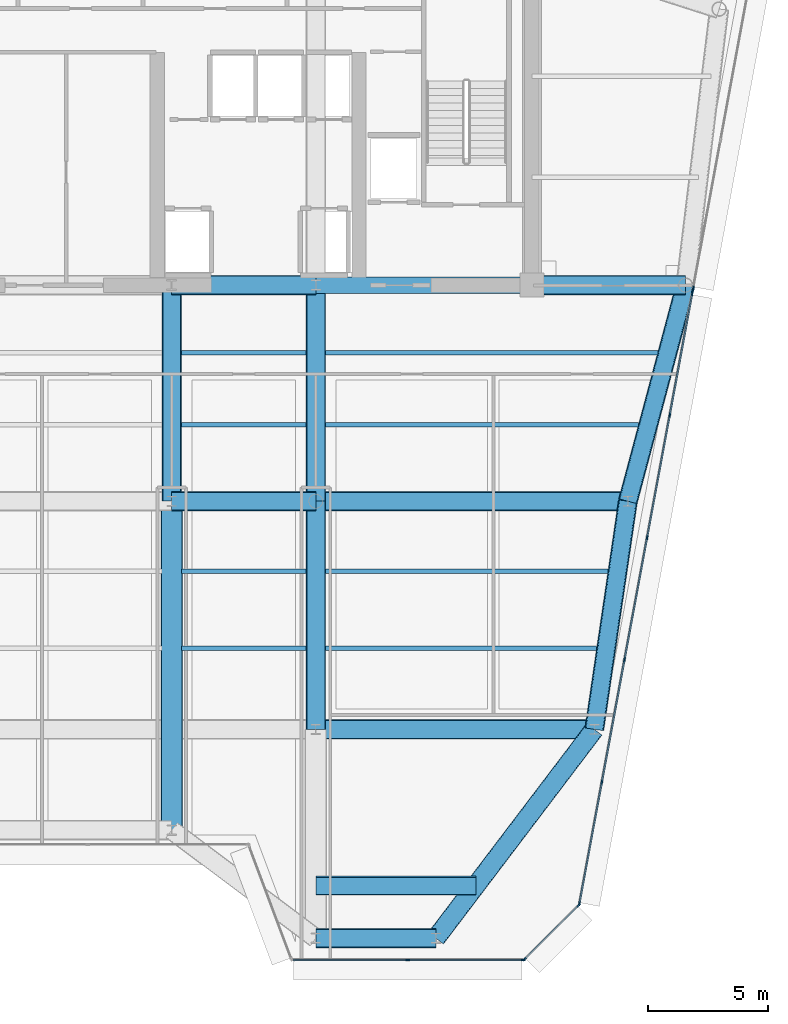
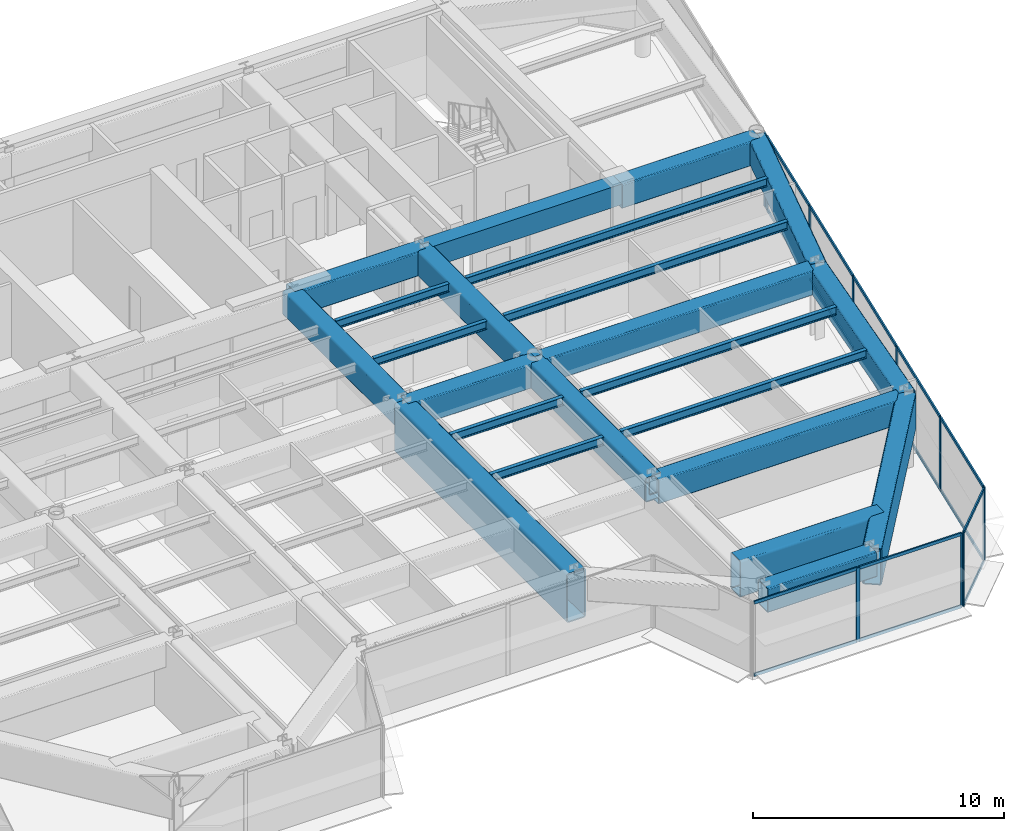
# One storey, part 6 of 17: 27 members, 23 beams, 4 elements without a shape of their own.
"""IFC4 building model written with IfcOpenShell, lengths in metres."""

from ifc_helpers import new_model, si_unit, direction, frame, origin, origin_2d, place, context, subcontext, project, spatial, rectangle, hollow_rectangle, i_section, extrude, source, transform, mapped, material, layer, layer_set, material_profile, profile_set, type_object, element, aggregate, save


model = new_model("IFC4")

# Units and contexts
model_context = context("Model", 3, precision=1e-05, world=origin(), true_north=direction((0.0, 1.0)))
body_context = subcontext(model_context, "Body", "Model", "MODEL_VIEW")
ifc_project = project(units=[si_unit("LENGTHUNIT", "METRE"), si_unit("AREAUNIT", "SQUARE_METRE"), si_unit("VOLUMEUNIT", "CUBIC_METRE"), si_unit("PLANEANGLEUNIT", "RADIAN"), si_unit("MASSUNIT", "GRAM", prefix="KILO")], contexts=[model_context])

# Site, building, storey
site_placement = place(None, origin())
site = spatial("IfcSite", under=ifc_project, at=site_placement, CompositionType="ELEMENT")
building_placement = place(site_placement, origin())
building = spatial("IfcBuilding", under=site, at=building_placement, Name="Vaeldorn Concourse Tower", CompositionType="ELEMENT")
storey_placement = place(building_placement, frame((0.0, 0.0, 234.60009765625)))
storey = spatial("IfcBuildingStorey", under=building, at=storey_placement, Name="L60", CompositionType="ELEMENT", Elevation=234.60009765625)

# Beams
ifc_material_1 = material(Name="Concrete C50/60", Category="concrete")
ifc_material_profile_1 = material_profile(ifc_material_1, rectangle(XDim=0.699951171875, YDim=1.0, at=origin_2d()), Name="RC 700x1000")
ifc_profile_set_1 = profile_set([ifc_material_profile_1], Name="Concrete C50/60")
beam_type_1 = type_object("IfcBeamType", Name="BM-CB-RC700", PredefinedType="BEAM", material=ifc_profile_set_1)
shared_shape_1 = source(origin(), body_context, "Body", "SweptSolid", [
    extrude(rectangle(XDim=0.699951171875, YDim=1.0, at=origin_2d()), origin(), (0.0, 0.0, 1.0), 9.0),
])
beam_1_placement = place(storey_placement, frame((45.0, 36.5, 3.079833984375), z_axis=(1.0, 0.0, 0.0), x_axis=(0.0, 1.0, 0.0)))
element("IfcBeam", 1, at=beam_1_placement, inside=storey, type_object=beam_type_1, Name="Core Coupling Beam L60-2", PredefinedType="BEAM", context=body_context, shape_type="MappedRepresentation", body=[
    mapped(shared_shape_1, transform((0.0, 0.0, 0.0), scale=1.0)),
])
ifc_material_2 = material(Name="Steel S460", Category="steel")
ifc_material_profile_2 = material_profile(ifc_material_2, hollow_rectangle(XDim=0.800048828125, YDim=1.199951171875, WallThickness=0.044921875, InnerFilletRadius=0.044921875, OuterFilletRadius=0.090087890625, at=origin_2d()), Name="RHS 1200x800x45")
ifc_profile_set_2 = profile_set([ifc_material_profile_2], Name="Steel S460")
beam_type_2 = type_object("IfcBeamType", Name="BM-TG-RHS1200", PredefinedType="BEAM", material=ifc_profile_set_2)
shared_shape_2 = source(origin(), body_context, "Body", "SweptSolid", [
    extrude(hollow_rectangle(XDim=0.800048828125, YDim=1.199951171875, WallThickness=0.044921875, InnerFilletRadius=0.044921875, OuterFilletRadius=0.090087890625, at=origin_2d()), origin(), (0.0, 0.0, 1.0), 6.0),
])
for number, where, z_axis, x_axis, name in (
    (2, (39.0, 36.5, 2.97998046875), (1.0, 0.0, 0.0), (0.0, 1.0, 0.0), "Beam BM-L60-C-FC4-C-FC5"),
    (3, (39.0, 27.5, 2.97998046875), (1.0, 0.0, 0.0), (0.0, 1.0, 0.0), "Beam BM-L60-C-TW3-C-TW4"),
):
    element("IfcBeam", number, at=place(storey_placement, frame(where, z_axis=z_axis, x_axis=x_axis)), inside=storey, type_object=beam_type_2, Name=name, PredefinedType="BEAM", context=body_context, shape_type="MappedRepresentation", body=[
        mapped(shared_shape_2, transform((0.0, 0.0, 0.0), scale=1.0)),
    ])
shared_shape_3 = source(origin(), body_context, "Body", "SweptSolid", [
    extrude(hollow_rectangle(XDim=0.800048828125, YDim=1.199951171875, WallThickness=0.044921875, InnerFilletRadius=0.044921875, OuterFilletRadius=0.090087890625, at=origin_2d()), origin(), (0.0, 0.0, 1.0), 9.0),
])
for number, where, z_axis, x_axis, name in (
    (4, (39.0, 27.5, 2.97998046875), (0.0, 1.0, 0.0), (-1.0, 0.0, 0.0), "Beam BM-L60-C-TW3-C-FC4"),
    (5, (45.0, 27.5, 2.97998046875), (0.0, 1.0, 0.0), (-1.0, 0.0, 0.0), "Beam BM-L60-C-TW4-C-FC5"),
):
    element("IfcBeam", number, at=place(storey_placement, frame(where, z_axis=z_axis, x_axis=x_axis)), inside=storey, type_object=beam_type_2, Name=name, PredefinedType="BEAM", context=body_context, shape_type="MappedRepresentation", body=[
        mapped(shared_shape_3, transform((0.0, 0.0, 0.0), scale=1.0)),
    ])
shared_shape_4 = source(origin(), body_context, "Body", "SweptSolid", [
    extrude(hollow_rectangle(XDim=0.800048828125, YDim=1.199951171875, WallThickness=0.044921875, InnerFilletRadius=0.044921875, OuterFilletRadius=0.090087890625, at=origin_2d()), origin(), (0.0, 0.0, 1.0), 13.0),
])
beam_2_placement = place(storey_placement, frame((45.0, 27.5, 2.97998046875), z_axis=(1.0, 0.0, 0.0), x_axis=(0.0, 1.0, 0.0)))
element("IfcBeam", 6, at=beam_2_placement, inside=storey, type_object=beam_type_2, Name="Beam BM-L60-C-TW4-C-FLE1", PredefinedType="BEAM", context=body_context, shape_type="MappedRepresentation", body=[
    mapped(shared_shape_4, transform((0.0, 0.0, 0.0), scale=1.0)),
])
shared_shape_5 = source(origin(), body_context, "Body", "SweptSolid", [
    extrude(hollow_rectangle(XDim=0.800048828125, YDim=1.199951171875, WallThickness=0.044921875, InnerFilletRadius=0.044921875, OuterFilletRadius=0.090087890625, at=origin_2d()), origin(), (0.0, 0.0, 1.0), 11.60009765625),
])
beam_3_placement = place(storey_placement, frame((45.0, 18.0, 2.97998046875), z_axis=(1.0, 0.0, 0.0), x_axis=(0.0, 1.0, 0.0)))
element("IfcBeam", 7, at=beam_3_placement, inside=storey, type_object=beam_type_2, Name="Beam BM-L60-C-TW6-C-FLE2", PredefinedType="BEAM", context=body_context, shape_type="MappedRepresentation", body=[
    mapped(shared_shape_5, transform((0.0, 0.0, 0.0), scale=1.0)),
])
shared_shape_6 = source(origin(), body_context, "Body", "SweptSolid", [
    extrude(hollow_rectangle(XDim=0.800048828125, YDim=1.199951171875, WallThickness=0.044921875, InnerFilletRadius=0.044921875, OuterFilletRadius=0.090087890625, at=origin_2d()), origin(), (0.0, 0.0, 1.0), 5.0),
])
beam_4_placement = place(storey_placement, frame((45.0, 9.300048828125, 2.97998046875), z_axis=(1.0, 0.0, 0.0), x_axis=(0.0, 1.0, 0.0)))
element("IfcBeam", 8, at=beam_4_placement, inside=storey, type_object=beam_type_2, Name="Beam BM-L60-C-SF5-C-SF6", PredefinedType="BEAM", context=body_context, shape_type="MappedRepresentation", body=[
    mapped(shared_shape_6, transform((0.0, 0.0, 0.0), scale=1.0)),
])
shared_shape_7 = source(origin(), body_context, "Body", "SweptSolid", [
    extrude(hollow_rectangle(XDim=0.800048828125, YDim=1.199951171875, WallThickness=0.044921875, InnerFilletRadius=0.044921875, OuterFilletRadius=0.090087890625, at=origin_2d()), origin(), (0.0, 0.0, 1.0), 6.39990234375),
])
beam_5_placement = place(storey_placement, frame((54.0, 36.5, 2.97998046875), z_axis=(1.0, 0.0, 0.0), x_axis=(0.0, 1.0, 0.0)))
element("IfcBeam", 9, at=beam_5_placement, inside=storey, type_object=beam_type_2, Name="Beam BM-L60-C-FC6-C-NE2", PredefinedType="BEAM", context=body_context, shape_type="MappedRepresentation", body=[
    mapped(shared_shape_7, transform((0.0, 0.0, 0.0), scale=1.0)),
])
shared_shape_8 = source(origin(), body_context, "Body", "SweptSolid", [
    extrude(hollow_rectangle(XDim=0.800048828125, YDim=1.199951171875, WallThickness=0.044921875, InnerFilletRadius=0.044921875, OuterFilletRadius=0.090087890625, at=origin_2d()), origin(), (0.0, 0.0, 1.0), 9.314453125),
])
beam_6_placement = place(storey_placement, frame((60.39990234375, 36.5, 2.97998046875), z_axis=(-0.257652862255, -0.966237549763, 0.0), x_axis=(0.966237549763, -0.257652862255, 0.0)))
element("IfcBeam", 10, at=beam_6_placement, inside=storey, type_object=beam_type_2, Name="Beam BM-L60-C-NE2-C-FLE1", PredefinedType="BEAM", context=body_context, shape_type="MappedRepresentation", body=[
    mapped(shared_shape_8, transform((0.0, 0.0, 0.0), scale=1.0)),
])
shared_shape_9 = source(origin(), body_context, "Body", "SweptSolid", [
    extrude(hollow_rectangle(XDim=0.800048828125, YDim=1.199951171875, WallThickness=0.044921875, InnerFilletRadius=0.044921875, OuterFilletRadius=0.090087890625, at=origin_2d()), origin(), (0.0, 0.0, 1.0), 9.6025390625),
])
beam_7_placement = place(storey_placement, frame((58.0, 27.5, 2.97998046875), z_axis=(-0.145783835977, -0.989316467652, 0.0), x_axis=(0.989316467652, -0.145783835977, 0.0)))
element("IfcBeam", 11, at=beam_7_placement, inside=storey, type_object=beam_type_2, Name="Beam BM-L60-C-FLE1-C-FLE2", PredefinedType="BEAM", context=body_context, shape_type="MappedRepresentation", body=[
    mapped(shared_shape_9, transform((0.0, 0.0, 0.0), scale=1.0)),
])
shared_shape_10 = source(origin(), body_context, "Body", "SweptSolid", [
    extrude(hollow_rectangle(XDim=0.800048828125, YDim=1.199951171875, WallThickness=0.044921875, InnerFilletRadius=0.044921875, OuterFilletRadius=0.090087890625, at=origin_2d()), origin(), (0.0, 0.0, 1.0), 9.5),
])
beam_8_placement = place(storey_placement, frame((45.0, 18.0, 2.97998046875), z_axis=(0.0, 1.0, 0.0), x_axis=(-1.0, 0.0, 0.0)))
element("IfcBeam", 12, at=beam_8_placement, inside=storey, type_object=beam_type_2, Name="Beam BM-L60-C-TW6-C-TW4", PredefinedType="BEAM", context=body_context, shape_type="MappedRepresentation", body=[
    mapped(shared_shape_10, transform((0.0, 0.0, 0.0), scale=1.0)),
])
ifc_material_3 = material(Name="Steel S355", Category="steel")
ifc_material_profile_3 = material_profile(ifc_material_3, i_section(OverallWidth=0.179931640625, OverallDepth=0.39990234375, WebThickness=0.008544921875, FlangeThickness=0.013427734375, FilletRadius=0.02099609375, at=origin_2d()), Name="IPE 400")
ifc_profile_set_3 = profile_set([ifc_material_profile_3], Name="Steel S355")
beam_type_3 = type_object("IfcBeamType", Name="BM-JS-IPE400", PredefinedType="JOIST", material=ifc_profile_set_3)
shared_shape_11 = source(origin(), body_context, "Body", "SweptSolid", [
    extrude(i_section(OverallWidth=0.179931640625, OverallDepth=0.39990234375, WebThickness=0.008544921875, FlangeThickness=0.013427734375, FilletRadius=0.02099609375, at=origin_2d()), origin(), (0.0, 0.0, 1.0), 5.2001953125),
])
for number, where, z_axis, x_axis, name in (
    (13, (39.39990234375, 21.3798828125, 3.3798828125), (1.0, 0.0, 0.0), (0.0, 1.0, 0.0), "Beam JS-L60-E2-213"),
    (14, (39.39990234375, 24.580078125, 3.3798828125), (1.0, 0.0, 0.0), (0.0, 1.0, 0.0), "Beam JS-L60-E2-245"),
    (15, (39.39990234375, 30.679931640625, 3.3798828125), (1.0, 0.0, 0.0), (0.0, 1.0, 0.0), "Beam JS-L60-E2-306"),
    (16, (39.39990234375, 33.679931640625, 3.3798828125), (1.0, 0.0, 0.0), (0.0, 1.0, 0.0), "Beam JS-L60-E2-336"),
):
    element("IfcBeam", number, at=place(storey_placement, frame(where, z_axis=z_axis, x_axis=x_axis)), inside=storey, type_object=beam_type_3, Name=name, PredefinedType="JOIST", context=body_context, shape_type="MappedRepresentation", body=[
        mapped(shared_shape_11, transform((0.0, 0.0, 0.0), scale=1.0)),
    ])
ifc_material_profile_4 = material_profile(ifc_material_2, hollow_rectangle(XDim=0.89990234375, YDim=2.39990234375, WallThickness=0.06005859375, InnerFilletRadius=0.06005859375, OuterFilletRadius=0.1201171875, at=origin_2d()), Name="RHS 2400x900x60")
ifc_profile_set_4 = profile_set([ifc_material_profile_4], Name="Steel S460")
beam_type_4 = type_object("IfcBeamType", Name="BM-TG-BOX2400", PredefinedType="BEAM", material=ifc_profile_set_4)
shared_shape_12 = source(origin(), body_context, "Body", "SweptSolid", [
    extrude(hollow_rectangle(XDim=0.89990234375, YDim=2.39990234375, WallThickness=0.06005859375, InnerFilletRadius=0.06005859375, OuterFilletRadius=0.1201171875, at=origin_2d()), origin(), (0.0, 0.0, 1.0), 13.699951171875),
])
beam_9_placement = place(storey_placement, frame((39.0, 13.800048828125, 2.3798828125), z_axis=(0.0, 1.0, 0.0), x_axis=(-1.0, 0.0, 0.0)))
element("IfcBeam", 17, at=beam_9_placement, inside=storey, type_object=beam_type_4, Name="Beam BM-SETBACK-L60-C-SF4", PredefinedType="BEAM", context=body_context, shape_type="MappedRepresentation", body=[
    mapped(shared_shape_12, transform((0.0, 0.0, 0.0), scale=1.0)),
])
ifc_material_profile_5 = material_profile(ifc_material_2, hollow_rectangle(XDim=0.800048828125, YDim=1.800048828125, WallThickness=0.050048828125, InnerFilletRadius=0.050048828125, OuterFilletRadius=0.10009765625, at=origin_2d()), Name="RHS 1800x800x50")
ifc_profile_set_5 = profile_set([ifc_material_profile_5], Name="Steel S460")
beam_type_5 = type_object("IfcBeamType", Name="BM-TG-BOX1800", PredefinedType="BEAM", material=ifc_profile_set_5)
shared_shape_13 = source(origin(), body_context, "Body", "SweptSolid", [
    extrude(hollow_rectangle(XDim=0.800048828125, YDim=1.800048828125, WallThickness=0.050048828125, InnerFilletRadius=0.050048828125, OuterFilletRadius=0.10009765625, at=origin_2d()), origin(), (0.0, 0.0, 1.0), 10.920166015625),
])
beam_10_placement = place(storey_placement, frame((50.0, 9.300048828125, 2.679931640625), z_axis=(0.604394310451, 0.796685331542, 0.0), x_axis=(-0.796685331542, 0.604394310451, 0.0)))
element("IfcBeam", 18, at=beam_10_placement, inside=storey, type_object=beam_type_5, Name="Beam BM-SETBACK-FL-L60-C-SF6", PredefinedType="BEAM", context=body_context, shape_type="MappedRepresentation", body=[
    mapped(shared_shape_13, transform((0.0, 0.0, 0.0), scale=1.0)),
])
shared_shape_14 = source(origin(), body_context, "Body", "SweptSolid", [
    extrude(hollow_rectangle(XDim=0.800048828125, YDim=1.800048828125, WallThickness=0.050048828125, InnerFilletRadius=0.050048828125, OuterFilletRadius=0.10009765625, at=origin_2d()), origin(), (0.0, 0.0, 1.0), 6.6689453125),
])
beam_11_placement = place(storey_placement, frame((51.6689453125, 11.5, 2.679931640625), z_axis=(-1.0, 0.0, 0.0), x_axis=(0.0, -1.0, 0.0)))
element("IfcBeam", 19, at=beam_11_placement, inside=storey, type_object=beam_type_5, Name="Beam BM-SETBACK-EW-L60-C-SF6", PredefinedType="BEAM", context=body_context, shape_type="MappedRepresentation", body=[
    mapped(shared_shape_14, transform((0.0, 0.0, 0.0), scale=1.0)),
])
shared_shape_15 = source(origin(), body_context, "Body", "SweptSolid", [
    extrude(i_section(OverallWidth=0.179931640625, OverallDepth=0.39990234375, WebThickness=0.008544921875, FlangeThickness=0.013427734375, FilletRadius=0.02099609375, at=origin_2d()), origin(), (0.0, 0.0, 1.0), 11.298095703125),
])
beam_12_placement = place(storey_placement, frame((45.39990234375, 21.3798828125, 3.3798828125), z_axis=(1.0, 0.0, 0.0), x_axis=(0.0, 1.0, 0.0)))
element("IfcBeam", 20, at=beam_12_placement, inside=storey, type_object=beam_type_3, Name="Beam JS-L60-E1-213", PredefinedType="JOIST", context=body_context, shape_type="MappedRepresentation", body=[
    mapped(shared_shape_15, transform((0.0, 0.0, 0.0), scale=1.0)),
])
shared_shape_16 = source(origin(), body_context, "Body", "SweptSolid", [
    extrude(i_section(OverallWidth=0.179931640625, OverallDepth=0.39990234375, WebThickness=0.008544921875, FlangeThickness=0.013427734375, FilletRadius=0.02099609375, at=origin_2d()), origin(), (0.0, 0.0, 1.0), 11.769775390625),
])
beam_13_placement = place(storey_placement, frame((45.39990234375, 24.580078125, 3.3798828125), z_axis=(1.0, 0.0, 0.0), x_axis=(0.0, 1.0, 0.0)))
element("IfcBeam", 21, at=beam_13_placement, inside=storey, type_object=beam_type_3, Name="Beam JS-L60-E1-245", PredefinedType="JOIST", context=body_context, shape_type="MappedRepresentation", body=[
    mapped(shared_shape_16, transform((0.0, 0.0, 0.0), scale=1.0)),
])
shared_shape_17 = source(origin(), body_context, "Body", "SweptSolid", [
    extrude(i_section(OverallWidth=0.179931640625, OverallDepth=0.39990234375, WebThickness=0.008544921875, FlangeThickness=0.013427734375, FilletRadius=0.02099609375, at=origin_2d()), origin(), (0.0, 0.0, 1.0), 13.048095703125),
])
beam_14_placement = place(storey_placement, frame((45.39990234375, 30.679931640625, 3.3798828125), z_axis=(1.0, 0.0, 0.0), x_axis=(0.0, 1.0, 0.0)))
element("IfcBeam", 22, at=beam_14_placement, inside=storey, type_object=beam_type_3, Name="Beam JS-L60-E1-306", PredefinedType="JOIST", context=body_context, shape_type="MappedRepresentation", body=[
    mapped(shared_shape_17, transform((0.0, 0.0, 0.0), scale=1.0)),
])
shared_shape_18 = source(origin(), body_context, "Body", "SweptSolid", [
    extrude(i_section(OverallWidth=0.179931640625, OverallDepth=0.39990234375, WebThickness=0.008544921875, FlangeThickness=0.013427734375, FilletRadius=0.02099609375, at=origin_2d()), origin(), (0.0, 0.0, 1.0), 13.84814453125),
])
beam_15_placement = place(storey_placement, frame((45.39990234375, 33.679931640625, 3.3798828125), z_axis=(1.0, 0.0, 0.0), x_axis=(0.0, 1.0, 0.0)))
element("IfcBeam", 23, at=beam_15_placement, inside=storey, type_object=beam_type_3, Name="Beam JS-L60-E1-336", PredefinedType="JOIST", context=body_context, shape_type="MappedRepresentation", body=[
    mapped(shared_shape_18, transform((0.0, 0.0, 0.0), scale=1.0)),
])

# Curtain wall, members
ifc_material_4 = material(Name="Anodised Bronze Aluminium", Category="aluminium")
ifc_layer = layer(ifc_material_4, 0.179931640625)
ifc_layer_set = layer_set([ifc_layer], Name="Anodised Bronze Aluminium")
curtain_wall_type = type_object("IfcCurtainWallType", Name="CW-SYS-05", PredefinedType="NOTDEFINED", material=ifc_layer_set)
curtain_wall_1_placement = place(storey_placement, origin())
curtain_wall_1 = element("IfcCurtainWall", 24, at=curtain_wall_1_placement, inside=storey, type_object=curtain_wall_type, Name="Unitised Curtain Wall CW-L60-E05-1", PredefinedType="NOTDEFINED")
ifc_material_profile_6 = material_profile(ifc_material_4, rectangle(XDim=0.06494140625, YDim=0.169921875, at=origin_2d()), Name="CWM 65x170")
ifc_profile_set_6 = profile_set([ifc_material_profile_6], Name="Anodised Bronze Aluminium")
member_type_1 = type_object("IfcMemberType", Name="CWM-BRONZE-170", PredefinedType="MULLION", material=ifc_profile_set_6)
shared_shape_19 = source(origin(), body_context, "Body", "SweptSolid", [
    extrude(rectangle(XDim=0.06494140625, YDim=0.169921875, at=origin_2d()), origin(), (0.0, 0.0, 1.0), 3.579833984375),
])
member_1_placement = place(storey_placement, frame((48.83544921875, 8.39990234375, 0.0), z_axis=(0.0, 0.0, 1.0), x_axis=(0.0, 1.0, 0.0)))
member_1 = element("IfcMember", 25, at=member_1_placement, type_object=member_type_1, Name="CW-05 mullion 2", PredefinedType="MULLION", context=body_context, shape_type="MappedRepresentation", body=[
    mapped(shared_shape_19, transform((0.0, 0.0, 0.0), scale=1.0)),
])
member_2_placement = place(storey_placement, frame((53.638427734375, 8.39990234375, 0.0), z_axis=(0.0, 0.0, 1.0), x_axis=(0.0, 1.0, 0.0)))
member_2 = element("IfcMember", 26, at=member_2_placement, type_object=member_type_1, Name="CW-05 mullion 3", PredefinedType="MULLION", context=body_context, shape_type="MappedRepresentation", body=[
    mapped(shared_shape_19, transform((0.0, 0.0, 0.0), scale=1.0)),
])

curtain_wall_2_placement = place(storey_placement, origin())
curtain_wall_2 = element("IfcCurtainWall", 27, at=curtain_wall_2_placement, inside=storey, type_object=curtain_wall_type, Name="Unitised Curtain Wall CW-L60-E06-1", PredefinedType="NOTDEFINED")
member_3_placement = place(storey_placement, frame((53.694091796875, 8.423095703125, 0.0), z_axis=(0.0, 0.0, 1.0), x_axis=(-0.707106781187, 0.707106781187, 0.0)))
member_3 = element("IfcMember", 28, at=member_3_placement, type_object=member_type_1, Name="CW-05 mullion 1", PredefinedType="MULLION", context=body_context, shape_type="MappedRepresentation", body=[
    mapped(shared_shape_19, transform((0.0, 0.0, 0.0), scale=1.0)),
])
member_4_placement = place(storey_placement, frame((55.947998046875, 10.677001953125, 0.0), z_axis=(0.0, 0.0, 1.0), x_axis=(-0.707106781187, 0.707106781187, 0.0)))
member_4 = element("IfcMember", 29, at=member_4_placement, type_object=member_type_1, Name="CW-05 mullion 2", PredefinedType="MULLION", context=body_context, shape_type="MappedRepresentation", body=[
    mapped(shared_shape_19, transform((0.0, 0.0, 0.0), scale=1.0)),
])

curtain_wall_3_placement = place(storey_placement, origin())
curtain_wall_3 = element("IfcCurtainWall", 30, at=curtain_wall_3_placement, inside=storey, type_object=curtain_wall_type, Name="Unitised Curtain Wall CW-L60-E07-1", PredefinedType="NOTDEFINED")
member_5_placement = place(storey_placement, frame((55.976806640625, 10.73193359375, 0.0), z_axis=(0.0, 0.0, 1.0), x_axis=(-0.98331890588, 0.181889882456, 0.0)))
member_5 = element("IfcMember", 31, at=member_5_placement, type_object=member_type_1, Name="CW-05 mullion 1", PredefinedType="MULLION", context=body_context, shape_type="MappedRepresentation", body=[
    mapped(shared_shape_19, transform((0.0, 0.0, 0.0), scale=1.0)),
])
member_6_placement = place(storey_placement, frame((56.913818359375, 15.797119140625, 0.0), z_axis=(0.0, 0.0, 1.0), x_axis=(-0.98331890588, 0.181889882456, 0.0)))
member_6 = element("IfcMember", 32, at=member_6_placement, type_object=member_type_1, Name="CW-05 mullion 2", PredefinedType="MULLION", context=body_context, shape_type="MappedRepresentation", body=[
    mapped(shared_shape_19, transform((0.0, 0.0, 0.0), scale=1.0)),
])
member_7_placement = place(storey_placement, frame((57.856689453125, 20.89404296875, 0.0), z_axis=(0.0, 0.0, 1.0), x_axis=(-0.98331890588, 0.181889882456, 0.0)))
member_7 = element("IfcMember", 33, at=member_7_placement, type_object=member_type_1, Name="CW-05 mullion 3", PredefinedType="MULLION", context=body_context, shape_type="MappedRepresentation", body=[
    mapped(shared_shape_19, transform((0.0, 0.0, 0.0), scale=1.0)),
])
member_8_placement = place(storey_placement, frame((58.799560546875, 25.990966796875, 0.0), z_axis=(0.0, 0.0, 1.0), x_axis=(-0.98331890588, 0.181889882456, 0.0)))
member_8 = element("IfcMember", 34, at=member_8_placement, type_object=member_type_1, Name="CW-05 mullion 4", PredefinedType="MULLION", context=body_context, shape_type="MappedRepresentation", body=[
    mapped(shared_shape_19, transform((0.0, 0.0, 0.0), scale=1.0)),
])
member_9_placement = place(storey_placement, frame((59.7421875, 31.087890625, 0.0), z_axis=(0.0, 0.0, 1.0), x_axis=(-0.98331890588, 0.181889882456, 0.0)))
member_9 = element("IfcMember", 35, at=member_9_placement, type_object=member_type_1, Name="CW-05 mullion 5", PredefinedType="MULLION", context=body_context, shape_type="MappedRepresentation", body=[
    mapped(shared_shape_19, transform((0.0, 0.0, 0.0), scale=1.0)),
])
member_10_placement = place(storey_placement, frame((60.67919921875, 36.153076171875, 0.0), z_axis=(0.0, 0.0, 1.0), x_axis=(-0.98331890588, 0.181889882456, 0.0)))
member_10 = element("IfcMember", 36, at=member_10_placement, type_object=member_type_1, Name="CW-05 mullion 6", PredefinedType="MULLION", context=body_context, shape_type="MappedRepresentation", body=[
    mapped(shared_shape_19, transform((0.0, 0.0, 0.0), scale=1.0)),
])

# Curtain wall, member
curtain_wall_4_placement = place(storey_placement, origin())
curtain_wall_4 = element("IfcCurtainWall", 37, at=curtain_wall_4_placement, inside=storey, type_object=curtain_wall_type, Name="Unitised Curtain Wall CW-L60-E07-2", PredefinedType="NOTDEFINED")
member_11_placement = place(storey_placement, frame((60.720947265625, 36.37890625, 0.0), z_axis=(0.0, 0.0, 1.0), x_axis=(-0.983319198447, 0.181888300792, 0.0)))
member_11 = element("IfcMember", 38, at=member_11_placement, type_object=member_type_1, Name="CW-05 mullion 1", PredefinedType="MULLION", context=body_context, shape_type="MappedRepresentation", body=[
    mapped(shared_shape_19, transform((0.0, 0.0, 0.0), scale=1.0)),
])
aggregate(curtain_wall_4, [member_11])

# Member
ifc_material_profile_7 = material_profile(ifc_material_4, rectangle(XDim=0.06494140625, YDim=0.14990234375, at=origin_2d()), Name="CWT 65x150")
ifc_profile_set_7 = profile_set([ifc_material_profile_7], Name="Anodised Bronze Aluminium")
member_type_2 = type_object("IfcMemberType", Name="CWT-BRONZE-150", PredefinedType="USERDEFINED", material=ifc_profile_set_7)
shared_shape_20 = source(origin(), body_context, "Body", "SweptSolid", [
    extrude(rectangle(XDim=0.06494140625, YDim=0.14990234375, at=origin_2d()), origin(), (0.0, 0.0, 1.0), 3.12255859375),
])
member_12_placement = place(storey_placement, frame((53.717041015625, 8.446044921875, 0.032470703125), z_axis=(0.707106781187, 0.707106781187, 0.0), x_axis=(-0.707106781187, 0.707106781187, 0.0)))
member_12 = element("IfcMember", 39, at=member_12_placement, type_object=member_type_2, Name="CW-05 transom 1.1", ObjectType="TRANSOM", PredefinedType="USERDEFINED", context=body_context, shape_type="MappedRepresentation", body=[
    mapped(shared_shape_20, transform((0.0, 0.0, 0.0), scale=1.0)),
])

member_13_placement = place(storey_placement, frame((53.717041015625, 8.446044921875, 3.54736328125), z_axis=(0.707106781187, 0.707106781187, 0.0), x_axis=(-0.707106781187, 0.707106781187, 0.0)))
member_13 = element("IfcMember", 40, at=member_13_placement, type_object=member_type_2, Name="CW-05 transom 1.2", ObjectType="TRANSOM", PredefinedType="USERDEFINED", context=body_context, shape_type="MappedRepresentation", body=[
    mapped(shared_shape_20, transform((0.0, 0.0, 0.0), scale=1.0)),
])

aggregate(curtain_wall_2, [member_3, member_4, member_12, member_13])

shared_shape_21 = source(origin(), body_context, "Body", "SweptSolid", [
    extrude(rectangle(XDim=0.06494140625, YDim=0.14990234375, at=origin_2d()), origin(), (0.0, 0.0, 1.0), 4.738037109375),
])
member_14_placement = place(storey_placement, frame((44.06494140625, 8.39990234375, 0.032470703125), z_axis=(1.0, 0.0, 0.0), x_axis=(0.0, 1.0, 0.0)))
member_14 = element("IfcMember", 41, at=member_14_placement, type_object=member_type_2, Name="CW-05 transom 1.1", ObjectType="TRANSOM", PredefinedType="USERDEFINED", context=body_context, shape_type="MappedRepresentation", body=[
    mapped(shared_shape_21, transform((0.0, 0.0, 0.0), scale=1.0)),
])

member_15_placement = place(storey_placement, frame((44.06494140625, 8.39990234375, 3.54736328125), z_axis=(1.0, 0.0, 0.0), x_axis=(0.0, 1.0, 0.0)))
member_15 = element("IfcMember", 42, at=member_15_placement, type_object=member_type_2, Name="CW-05 transom 1.2", ObjectType="TRANSOM", PredefinedType="USERDEFINED", context=body_context, shape_type="MappedRepresentation", body=[
    mapped(shared_shape_21, transform((0.0, 0.0, 0.0), scale=1.0)),
])

member_16_placement = place(storey_placement, frame((48.867919921875, 8.39990234375, 0.032470703125), z_axis=(1.0, 0.0, 0.0), x_axis=(0.0, 1.0, 0.0)))
member_16 = element("IfcMember", 43, at=member_16_placement, type_object=member_type_2, Name="CW-05 transom 2.1", ObjectType="TRANSOM", PredefinedType="USERDEFINED", context=body_context, shape_type="MappedRepresentation", body=[
    mapped(shared_shape_21, transform((0.0, 0.0, 0.0), scale=1.0)),
])

member_17_placement = place(storey_placement, frame((48.867919921875, 8.39990234375, 3.54736328125), z_axis=(1.0, 0.0, 0.0), x_axis=(0.0, 1.0, 0.0)))
member_17 = element("IfcMember", 44, at=member_17_placement, type_object=member_type_2, Name="CW-05 transom 2.2", ObjectType="TRANSOM", PredefinedType="USERDEFINED", context=body_context, shape_type="MappedRepresentation", body=[
    mapped(shared_shape_21, transform((0.0, 0.0, 0.0), scale=1.0)),
])

aggregate(curtain_wall_1, [member_1, member_2, member_14, member_15, member_16, member_17])

shared_shape_22 = source(origin(), body_context, "Body", "SweptSolid", [
    extrude(rectangle(XDim=0.06494140625, YDim=0.14990234375, at=origin_2d()), origin(), (0.0, 0.0, 1.0), 5.0859375),
])
member_18_placement = place(storey_placement, frame((55.98291015625, 10.763916015625, 0.032470703125), z_axis=(0.181879549724, 0.983320817125, 0.0), x_axis=(-0.983320817125, 0.181879549724, 0.0)))
member_18 = element("IfcMember", 45, at=member_18_placement, type_object=member_type_2, Name="CW-05 transom 1.1", ObjectType="TRANSOM", PredefinedType="USERDEFINED", context=body_context, shape_type="MappedRepresentation", body=[
    mapped(shared_shape_22, transform((0.0, 0.0, 0.0), scale=1.0)),
])

member_19_placement = place(storey_placement, frame((55.98291015625, 10.763916015625, 3.54736328125), z_axis=(0.181879549724, 0.983320817125, 0.0), x_axis=(-0.983320817125, 0.181879549724, 0.0)))
member_19 = element("IfcMember", 46, at=member_19_placement, type_object=member_type_2, Name="CW-05 transom 1.2", ObjectType="TRANSOM", PredefinedType="USERDEFINED", context=body_context, shape_type="MappedRepresentation", body=[
    mapped(shared_shape_22, transform((0.0, 0.0, 0.0), scale=1.0)),
])

member_20_placement = place(storey_placement, frame((59.748291015625, 31.119873046875, 0.032470703125), z_axis=(0.181879549724, 0.983320817125, 0.0), x_axis=(-0.983320817125, 0.181879549724, 0.0)))
member_20 = element("IfcMember", 47, at=member_20_placement, type_object=member_type_2, Name="CW-05 transom 5.1", ObjectType="TRANSOM", PredefinedType="USERDEFINED", context=body_context, shape_type="MappedRepresentation", body=[
    mapped(shared_shape_22, transform((0.0, 0.0, 0.0), scale=1.0)),
])

member_21_placement = place(storey_placement, frame((59.748291015625, 31.119873046875, 3.54736328125), z_axis=(0.181879549724, 0.983320817125, 0.0), x_axis=(-0.983320817125, 0.181879549724, 0.0)))
member_21 = element("IfcMember", 48, at=member_21_placement, type_object=member_type_2, Name="CW-05 transom 5.2", ObjectType="TRANSOM", PredefinedType="USERDEFINED", context=body_context, shape_type="MappedRepresentation", body=[
    mapped(shared_shape_22, transform((0.0, 0.0, 0.0), scale=1.0)),
])

shared_shape_23 = source(origin(), body_context, "Body", "SweptSolid", [
    extrude(rectangle(XDim=0.06494140625, YDim=0.14990234375, at=origin_2d()), origin(), (0.0, 0.0, 1.0), 5.11865234375),
])
member_22_placement = place(storey_placement, frame((56.919677734375, 15.828857421875, 0.032470703125), z_axis=(0.181915044341, 0.983314251215, 0.0), x_axis=(-0.983314251215, 0.181915044341, 0.0)))
member_22 = element("IfcMember", 49, at=member_22_placement, type_object=member_type_2, Name="CW-05 transom 2.1", ObjectType="TRANSOM", PredefinedType="USERDEFINED", context=body_context, shape_type="MappedRepresentation", body=[
    mapped(shared_shape_23, transform((0.0, 0.0, 0.0), scale=1.0)),
])

member_23_placement = place(storey_placement, frame((56.919677734375, 15.828857421875, 3.54736328125), z_axis=(0.181915044341, 0.983314251215, 0.0), x_axis=(-0.983314251215, 0.181915044341, 0.0)))
member_23 = element("IfcMember", 50, at=member_23_placement, type_object=member_type_2, Name="CW-05 transom 2.2", ObjectType="TRANSOM", PredefinedType="USERDEFINED", context=body_context, shape_type="MappedRepresentation", body=[
    mapped(shared_shape_23, transform((0.0, 0.0, 0.0), scale=1.0)),
])

member_24_placement = place(storey_placement, frame((58.805419921875, 26.02294921875, 0.032470703125), z_axis=(0.181868925515, 0.983322782169, 0.0), x_axis=(-0.983322782169, 0.181868925515, 0.0)))
member_24 = element("IfcMember", 51, at=member_24_placement, type_object=member_type_2, Name="CW-05 transom 4.1", ObjectType="TRANSOM", PredefinedType="USERDEFINED", context=body_context, shape_type="MappedRepresentation", body=[
    mapped(shared_shape_23, transform((0.0, 0.0, 0.0), scale=1.0)),
])

member_25_placement = place(storey_placement, frame((58.805419921875, 26.02294921875, 3.54736328125), z_axis=(0.181868925515, 0.983322782169, 0.0), x_axis=(-0.983322782169, 0.181868925515, 0.0)))
member_25 = element("IfcMember", 52, at=member_25_placement, type_object=member_type_2, Name="CW-05 transom 4.2", ObjectType="TRANSOM", PredefinedType="USERDEFINED", context=body_context, shape_type="MappedRepresentation", body=[
    mapped(shared_shape_23, transform((0.0, 0.0, 0.0), scale=1.0)),
])

shared_shape_24 = source(origin(), body_context, "Body", "SweptSolid", [
    extrude(rectangle(XDim=0.06494140625, YDim=0.14990234375, at=origin_2d()), origin(), (0.0, 0.0, 1.0), 5.118408203125),
])
member_26_placement = place(storey_placement, frame((57.862548828125, 20.926025390625, 0.032470703125), z_axis=(0.181877455854, 0.983321204415, 0.0), x_axis=(-0.983321204415, 0.181877455854, 0.0)))
member_26 = element("IfcMember", 53, at=member_26_placement, type_object=member_type_2, Name="CW-05 transom 3.1", ObjectType="TRANSOM", PredefinedType="USERDEFINED", context=body_context, shape_type="MappedRepresentation", body=[
    mapped(shared_shape_24, transform((0.0, 0.0, 0.0), scale=1.0)),
])

member_27_placement = place(storey_placement, frame((57.862548828125, 20.926025390625, 3.54736328125), z_axis=(0.181877455854, 0.983321204415, 0.0), x_axis=(-0.983321204415, 0.181877455854, 0.0)))
member_27 = element("IfcMember", 54, at=member_27_placement, type_object=member_type_2, Name="CW-05 transom 3.2", ObjectType="TRANSOM", PredefinedType="USERDEFINED", context=body_context, shape_type="MappedRepresentation", body=[
    mapped(shared_shape_24, transform((0.0, 0.0, 0.0), scale=1.0)),
])

aggregate(curtain_wall_3, [member_5, member_6, member_7, member_8, member_9, member_10, member_18, member_19, member_22, member_23, member_26, member_27, member_24, member_25, member_20, member_21])

save(model, "model.ifc")
